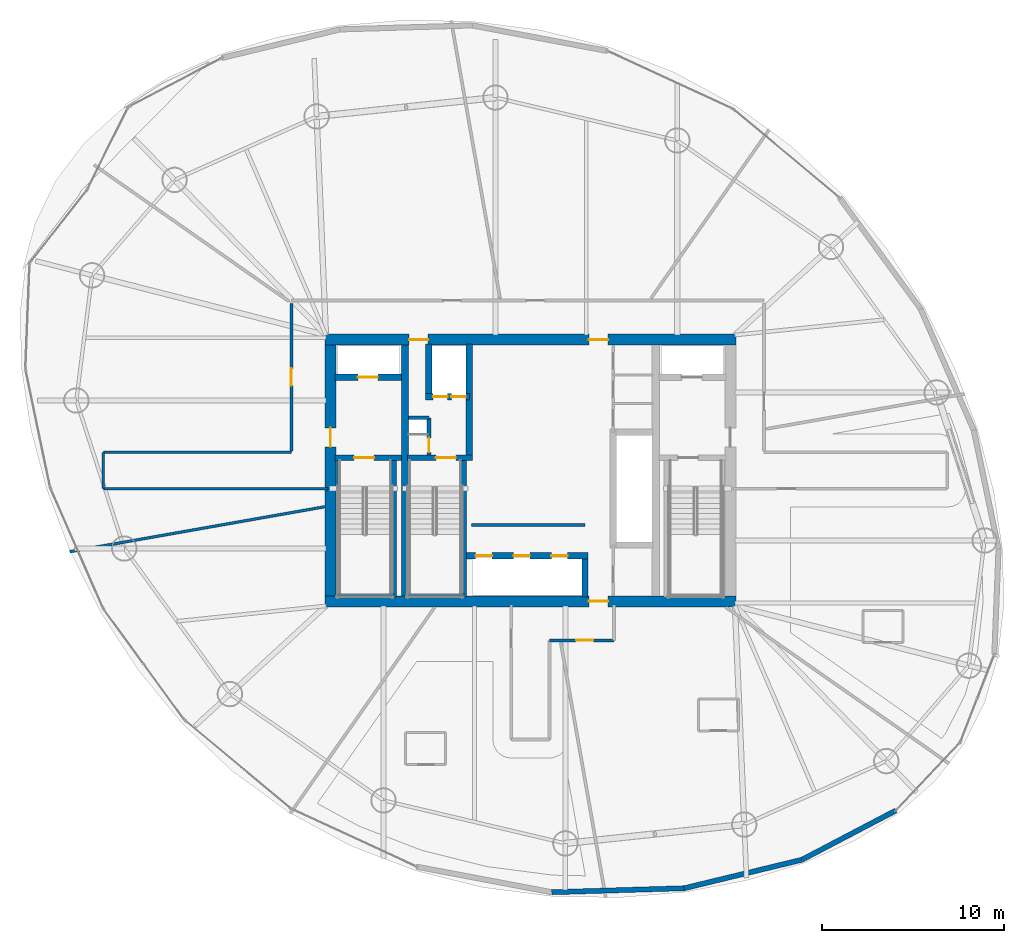
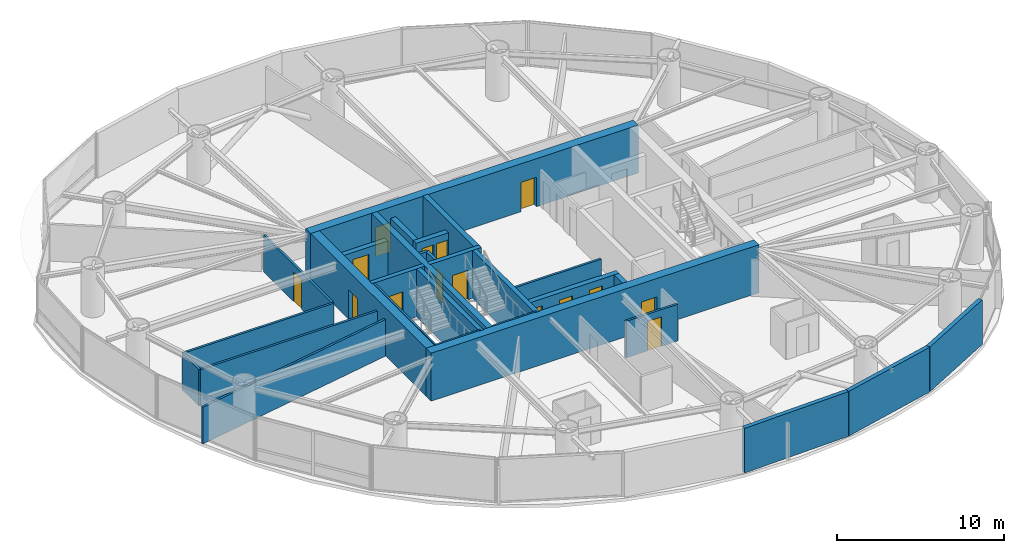
# One storey, part 18 of 23: 29 walls, 15 doors, 15 openings.
"""IFC4 building model written with IfcOpenShell, lengths in metres."""

from ifc_helpers import new_model, si_unit, direction, frame, frame_2d, origin, place, context, subcontext, project, spatial, rectangle, extrude, material, layer, layer_set, type_object, element, fill, save


model = new_model("IFC4")

# Units and contexts
model_context = context("Model", 3, precision=1e-05, world=origin(), true_north=direction((0.0, 1.0)))
body_context = subcontext(model_context, "Body", "Model", "MODEL_VIEW")
ifc_project = project(units=[si_unit("LENGTHUNIT", "METRE"), si_unit("AREAUNIT", "SQUARE_METRE"), si_unit("VOLUMEUNIT", "CUBIC_METRE"), si_unit("PLANEANGLEUNIT", "RADIAN"), si_unit("MASSUNIT", "GRAM", prefix="KILO")], contexts=[model_context])

# Site, building, storey
site_placement = place(None, origin())
site = spatial("IfcSite", under=ifc_project, at=site_placement, CompositionType="ELEMENT")
building_placement = place(site_placement, origin())
building = spatial("IfcBuilding", under=site, at=building_placement, Name="Bramvorn Convention Spire", CompositionType="ELEMENT")
storey_placement = place(building_placement, frame((0.0, 0.0, 158.800048828125)))
storey = spatial("IfcBuildingStorey", under=building, at=storey_placement, Name="L40", CompositionType="ELEMENT", Elevation=158.800048828125)

# Wall, opening, door
ifc_material_1 = material(Name="Concrete C60/70", Category="concrete")
ifc_layer_1 = layer(ifc_material_1, 0.60009765625)
ifc_layer_set_1 = layer_set([ifc_layer_1], Name="Concrete C60/70 - WL-CORE-600")
wall_type_1 = type_object("IfcWallType", Name="WL-CORE-600", PredefinedType="SHEAR", material=ifc_layer_set_1)
wall_1_placement = place(storey_placement, frame((26.699951171875, 18.800048828125, 0.0), z_axis=(0.0, 0.0, 1.0), x_axis=(1.0, 0.0, 0.0)))
wall_1 = element("IfcWall", 1, at=wall_1_placement, inside=storey, type_object=wall_type_1, Name="L40 South RC core shear wall", PredefinedType="SHEAR", context=body_context, shape_type="SweptSolid", body=[
    extrude(rectangle(XDim=22.60009765625, YDim=0.60009765625, at=frame_2d((11.300048828125, 0.0))), origin(), (0.0, 0.0, 1.0), 3.5),
])
opening_1_placement = place(wall_1_placement, frame((14.52001953125, 0.0, 0.0)))
opening_1 = element("IfcOpeningElement", 2, at=opening_1_placement, cuts=wall_1, Name="Opening DL-105", PredefinedType="OPENING", context=body_context, shape_type="SweptSolid", body=[
    extrude(rectangle(XDim=1.050048828125, YDim=2.14990234375, at=frame_2d((0.52490234375, 1.074951171875))), frame((0.0, 0.31005859375, 0.0), z_axis=(0.0, -1.0, 0.0), x_axis=(1.0, 0.0, 0.0)), (0.0, 0.0, 1.0), 0.6201171875),
])
ifc_material_2 = material(Name="Smoke-Sealed Fire Lobby Timber-Core Door", Category="wood")
door_type_1 = type_object("IfcDoorType", Name="DR-LOBBY-1050", OperationType="NOTDEFINED", PredefinedType="DOOR", material=ifc_material_2)
door_1_placement = place(opening_1_placement, origin())
door_1 = element("IfcDoor", 3, at=door_1_placement, inside=storey, type_object=door_type_1, Name="L40 South Lift Lobby fire door", OperationType="SINGLE_SWING_RIGHT", OverallHeight=2.14990234375, OverallWidth=1.050048828125, PredefinedType="DOOR", context=body_context, shape_type="SweptSolid", body=[
    extrude(rectangle(XDim=1.050048828125, YDim=2.14990234375, at=frame_2d((0.52490234375, 1.074951171875))), frame((0.0, 0.02490234375, 0.0), z_axis=(0.0, -1.0, 0.0), x_axis=(1.0, 0.0, 0.0)), (0.0, 0.0, 1.0), 0.050048828125),
])
fill(opening_1, door_1)

# Wall, openings, doors
wall_2_placement = place(storey_placement, frame((26.699951171875, 33.199951171875, 0.0), z_axis=(0.0, 0.0, 1.0), x_axis=(1.0, 0.0, 0.0)))
wall_2 = element("IfcWall", 4, at=wall_2_placement, inside=storey, type_object=wall_type_1, Name="L40 North RC core shear wall", PredefinedType="SHEAR", context=body_context, shape_type="SweptSolid", body=[
    extrude(rectangle(XDim=22.60009765625, YDim=0.60009765625, at=frame_2d((11.300048828125, 0.0))), origin(), (0.0, 0.0, 1.0), 3.5),
])
opening_2_placement = place(wall_2_placement, frame((4.6201171875, 0.0, 0.0)))
opening_2 = element("IfcOpeningElement", 5, at=opening_2_placement, cuts=wall_2, Name="Opening DL-105", PredefinedType="OPENING", context=body_context, shape_type="SweptSolid", body=[
    extrude(rectangle(XDim=1.050048828125, YDim=2.14990234375, at=frame_2d((0.52490234375, 1.074951171875))), frame((0.0, 0.31005859375, 0.0), z_axis=(0.0, -1.0, 0.0), x_axis=(1.0, 0.0, 0.0)), (0.0, 0.0, 1.0), 0.6201171875),
])
opening_3_placement = place(wall_2_placement, frame((14.52001953125, 0.0, 0.0)))
opening_3 = element("IfcOpeningElement", 6, at=opening_3_placement, cuts=wall_2, Name="Opening DL-105", PredefinedType="OPENING", context=body_context, shape_type="SweptSolid", body=[
    extrude(rectangle(XDim=1.050048828125, YDim=2.14990234375, at=frame_2d((0.52490234375, 1.074951171875))), frame((0.0, 0.31005859375, 0.0), z_axis=(0.0, -1.0, 0.0), x_axis=(1.0, 0.0, 0.0)), (0.0, 0.0, 1.0), 0.6201171875),
])
door_2_placement = place(opening_2_placement, origin())
door_2 = element("IfcDoor", 7, at=door_2_placement, inside=storey, type_object=door_type_1, Name="L40 Service & Stair ST3 Lobby north corridor door", OperationType="SINGLE_SWING_LEFT", OverallHeight=2.14990234375, OverallWidth=1.050048828125, PredefinedType="DOOR", context=body_context, shape_type="SweptSolid", body=[
    extrude(rectangle(XDim=1.050048828125, YDim=2.14990234375, at=frame_2d((0.52490234375, 1.074951171875))), frame((0.0, 0.02490234375, 0.0), z_axis=(0.0, -1.0, 0.0), x_axis=(1.0, 0.0, 0.0)), (0.0, 0.0, 1.0), 0.050048828125),
])
fill(opening_2, door_2)
door_3_placement = place(opening_3_placement, origin())
door_3 = element("IfcDoor", 8, at=door_3_placement, inside=storey, type_object=door_type_1, Name="L40 North Lift Lobby fire door", OperationType="SINGLE_SWING_LEFT", OverallHeight=2.14990234375, OverallWidth=1.050048828125, PredefinedType="DOOR", context=body_context, shape_type="SweptSolid", body=[
    extrude(rectangle(XDim=1.050048828125, YDim=2.14990234375, at=frame_2d((0.52490234375, 1.074951171875))), frame((0.0, 0.02490234375, 0.0), z_axis=(0.0, -1.0, 0.0), x_axis=(1.0, 0.0, 0.0)), (0.0, 0.0, 1.0), 0.050048828125),
])
fill(opening_3, door_3)

# Wall, opening, door
wall_3_placement = place(storey_placement, frame((27.0, 19.10009765625, 0.0), z_axis=(0.0, 0.0, 1.0), x_axis=(0.0, 1.0, 0.0)))
wall_3 = element("IfcWall", 9, at=wall_3_placement, inside=storey, type_object=wall_type_1, Name="L40 West RC core shear wall", PredefinedType="SHEAR", context=body_context, shape_type="SweptSolid", body=[
    extrude(rectangle(XDim=13.7998046875, YDim=0.60009765625, at=frame_2d((6.89990234375, 0.0))), origin(), (0.0, 0.0, 1.0), 3.5),
])
opening_4_placement = place(wall_3_placement, frame((8.199951171875, 0.0, 0.0)))
opening_4 = element("IfcOpeningElement", 10, at=opening_4_placement, cuts=wall_3, Name="Opening DL-105", PredefinedType="OPENING", context=body_context, shape_type="SweptSolid", body=[
    extrude(rectangle(XDim=1.050048828125, YDim=2.14990234375, at=frame_2d((0.52490234375, 1.074951171875))), frame((0.0, 0.31005859375, 0.0), z_axis=(0.0, -1.0, 0.0), x_axis=(1.0, 0.0, 0.0)), (0.0, 0.0, 1.0), 0.6201171875),
])
door_4_placement = place(opening_4_placement, origin())
door_4 = element("IfcDoor", 11, at=door_4_placement, inside=storey, type_object=door_type_1, Name="L40 West Firefighting Lobby corridor door", OperationType="SINGLE_SWING_RIGHT", OverallHeight=2.14990234375, OverallWidth=1.050048828125, PredefinedType="DOOR", context=body_context, shape_type="SweptSolid", body=[
    extrude(rectangle(XDim=1.050048828125, YDim=2.14990234375, at=frame_2d((0.52490234375, 1.074951171875))), frame((0.0, 0.02490234375, 0.0), z_axis=(0.0, -1.0, 0.0), x_axis=(1.0, 0.0, 0.0)), (0.0, 0.0, 1.0), 0.050048828125),
])
fill(opening_4, door_4)

ifc_material_3 = material(Name="Concrete C50/60", Category="concrete")
ifc_layer_2 = layer(ifc_material_3, 0.35009765625)
ifc_layer_set_2 = layer_set([ifc_layer_2], Name="Concrete C50/60 - WL-CORE-INT-350")
wall_type_2 = type_object("IfcWallType", Name="WL-CORE-INT-350", PredefinedType="SHEAR", material=ifc_layer_set_2)
wall_4_placement = place(storey_placement, frame((27.25, 31.1201171875, 0.0), z_axis=(0.0, 0.0, 1.0), x_axis=(1.0, 0.0, 0.0)))
wall_4 = element("IfcWall", 12, at=wall_4_placement, inside=storey, type_object=wall_type_2, Name="L40 FE1 shaft front wall", PredefinedType="SHEAR", context=body_context, shape_type="SweptSolid", body=[
    extrude(rectangle(XDim=3.669921875, YDim=0.35009765625, at=frame_2d((1.8349609375, 0.0))), origin(), (0.0, 0.0, 1.0), 2.675048828125),
])
opening_5_placement = place(wall_4_placement, frame((1.25, 0.0, 0.0)))
opening_5 = element("IfcOpeningElement", 13, at=opening_5_placement, cuts=wall_4, Name="Opening LD-110", PredefinedType="OPENING", context=body_context, shape_type="SweptSolid", body=[
    extrude(rectangle(XDim=1.10009765625, YDim=2.14990234375, at=frame_2d((0.550048828125, 1.074951171875))), frame((0.0, 0.18505859375, 0.0), z_axis=(0.0, -1.0, 0.0), x_axis=(1.0, 0.0, 0.0)), (0.0, 0.0, 1.0), 0.3701171875),
])
ifc_material_4 = material(Name="Firefighting & Service Lift Sliding Landing Door", Category="steel")
door_type_2 = type_object("IfcDoorType", Name="DR-LIFT-LD-1100", OperationType="NOTDEFINED", PredefinedType="DOOR", material=ifc_material_4)
door_5_placement = place(opening_5_placement, origin())
door_5 = element("IfcDoor", 14, at=door_5_placement, inside=storey, type_object=door_type_2, Name="L40 Lift FE1 Sliding Landing Door", OperationType="SLIDING_TO_LEFT", OverallHeight=2.14990234375, OverallWidth=1.10009765625, PredefinedType="DOOR", context=body_context, shape_type="SweptSolid", body=[
    extrude(rectangle(XDim=1.10009765625, YDim=2.14990234375, at=frame_2d((0.550048828125, 1.074951171875))), frame((0.0, 0.02490234375, 0.0), z_axis=(0.0, -1.0, 0.0), x_axis=(1.0, 0.0, 0.0)), (0.0, 0.0, 1.0), 0.050048828125),
])
fill(opening_5, door_5)

# Wall
wall_5_placement = place(storey_placement, frame((34.639892578125, 26.68994140625, 0.0), z_axis=(0.0, 0.0, 1.0), x_axis=(0.0, 1.0, 0.0)))
element("IfcWall", 15, at=wall_5_placement, inside=storey, type_object=wall_type_2, Name="L40 SV east core shaft wall", PredefinedType="SHEAR", context=body_context, shape_type="SweptSolid", body=[
    extrude(rectangle(XDim=6.260009765625, YDim=0.35009765625, at=frame_2d((3.1298828125, 0.0))), origin(), (0.0, 0.0, 1.0), 3.5),
])

# Wall, openings, doors
wall_6_placement = place(storey_placement, frame((32.22998046875, 30.050048828125, 0.0), z_axis=(0.0, 0.0, 1.0), x_axis=(1.0, 0.0, 0.0)))
wall_6 = element("IfcWall", 16, at=wall_6_placement, inside=storey, type_object=wall_type_2, Name="L40 SV1/SV2 shaft front wall", PredefinedType="SHEAR", context=body_context, shape_type="SweptSolid", body=[
    extrude(rectangle(XDim=2.409912109375, YDim=0.35009765625, at=frame_2d((1.205078125, 0.0))), origin(), (0.0, 0.0, 1.0), 2.675048828125),
])
opening_6_placement = place(wall_6_placement, frame((0.419921875, 0.0, 0.0)))
opening_6 = element("IfcOpeningElement", 17, at=opening_6_placement, cuts=wall_6, Name="Opening LD-080", PredefinedType="OPENING", context=body_context, shape_type="SweptSolid", body=[
    extrude(rectangle(XDim=0.800048828125, YDim=2.14990234375, at=frame_2d((0.39990234375, 1.074951171875))), frame((0.0, 0.18505859375, 0.0), z_axis=(0.0, -1.0, 0.0), x_axis=(1.0, 0.0, 0.0)), (0.0, 0.0, 1.0), 0.3701171875),
])
opening_7_placement = place(wall_6_placement, frame((1.419921875, 0.0, 0.0)))
opening_7 = element("IfcOpeningElement", 18, at=opening_7_placement, cuts=wall_6, Name="Opening LD-080", PredefinedType="OPENING", context=body_context, shape_type="SweptSolid", body=[
    extrude(rectangle(XDim=0.800048828125, YDim=2.14990234375, at=frame_2d((0.39990234375, 1.074951171875))), frame((0.0, 0.18505859375, 0.0), z_axis=(0.0, -1.0, 0.0), x_axis=(1.0, 0.0, 0.0)), (0.0, 0.0, 1.0), 0.3701171875),
])
ifc_material_5 = material(Name="Service Lift Bi-Parting Landing Door", Category="steel")
door_type_3 = type_object("IfcDoorType", Name="DR-LIFT-LD-800", OperationType="NOTDEFINED", PredefinedType="DOOR", material=ifc_material_5)
door_6_placement = place(opening_6_placement, origin())
door_6 = element("IfcDoor", 19, at=door_6_placement, inside=storey, type_object=door_type_3, Name="L40 Lift SV1 Sliding Landing Door", OperationType="SLIDING_TO_LEFT", OverallHeight=2.14990234375, OverallWidth=0.800048828125, PredefinedType="DOOR", context=body_context, shape_type="SweptSolid", body=[
    extrude(rectangle(XDim=0.800048828125, YDim=2.14990234375, at=frame_2d((0.39990234375, 1.074951171875))), frame((0.0, 0.02490234375, 0.0), z_axis=(0.0, -1.0, 0.0), x_axis=(1.0, 0.0, 0.0)), (0.0, 0.0, 1.0), 0.050048828125),
])
fill(opening_6, door_6)
door_7_placement = place(opening_7_placement, origin())
door_7 = element("IfcDoor", 20, at=door_7_placement, inside=storey, type_object=door_type_3, Name="L40 Lift SV2 Sliding Landing Door", OperationType="SLIDING_TO_LEFT", OverallHeight=2.14990234375, OverallWidth=0.800048828125, PredefinedType="DOOR", context=body_context, shape_type="SweptSolid", body=[
    extrude(rectangle(XDim=0.800048828125, YDim=2.14990234375, at=frame_2d((0.39990234375, 1.074951171875))), frame((0.0, 0.02490234375, 0.0), z_axis=(0.0, -1.0, 0.0), x_axis=(1.0, 0.0, 0.0)), (0.0, 0.0, 1.0), 0.050048828125),
])
fill(opening_7, door_7)

# Wall
wall_7_placement = place(storey_placement, frame((32.39990234375, 30.219970703125, 0.0), z_axis=(0.0, 0.0, 1.0), x_axis=(0.0, 1.0, 0.0)))
element("IfcWall", 21, at=wall_7_placement, inside=storey, type_object=wall_type_2, Name="L40 SV1 west hoistway wall", PredefinedType="SHEAR", context=body_context, shape_type="SweptSolid", body=[
    extrude(rectangle(XDim=2.72998046875, YDim=0.35009765625, at=frame_2d((1.364990234375, 0.0))), origin(), (0.0, 0.0, 1.0), 2.675048828125),
])

# Wall, openings, doors
wall_8_placement = place(storey_placement, frame((34.489990234375, 21.300048828125, 0.0), z_axis=(0.0, 0.0, 1.0), x_axis=(1.0, 0.0, 0.0)))
wall_8 = element("IfcWall", 22, at=wall_8_placement, inside=storey, type_object=wall_type_2, Name="L40 Mid-rise bank north landing wall", PredefinedType="SHEAR", context=body_context, shape_type="SweptSolid", body=[
    extrude(rectangle(XDim=6.679931640625, YDim=0.35009765625, at=frame_2d((3.33984375, 0.0))), origin(), (0.0, 0.0, 1.0), 2.675048828125),
])
opening_8_placement = place(wall_8_placement, frame((0.5, 0.0, 0.0)))
opening_8 = element("IfcOpeningElement", 23, at=opening_8_placement, cuts=wall_8, Name="Opening LD-090", PredefinedType="OPENING", context=body_context, shape_type="SweptSolid", body=[
    extrude(rectangle(XDim=0.89990234375, YDim=2.14990234375, at=frame_2d((0.449951171875, 1.074951171875))), frame((0.0, 0.18505859375, 0.0), z_axis=(0.0, -1.0, 0.0), x_axis=(1.0, 0.0, 0.0)), (0.0, 0.0, 1.0), 0.3701171875),
])
opening_9_placement = place(wall_8_placement, frame((2.580078125, 0.0, 0.0)))
opening_9 = element("IfcOpeningElement", 24, at=opening_9_placement, cuts=wall_8, Name="Opening LD-090", PredefinedType="OPENING", context=body_context, shape_type="SweptSolid", body=[
    extrude(rectangle(XDim=0.89990234375, YDim=2.14990234375, at=frame_2d((0.449951171875, 1.074951171875))), frame((0.0, 0.18505859375, 0.0), z_axis=(0.0, -1.0, 0.0), x_axis=(1.0, 0.0, 0.0)), (0.0, 0.0, 1.0), 0.3701171875),
])
opening_10_placement = place(wall_8_placement, frame((4.659912109375, 0.0, 0.0)))
opening_10 = element("IfcOpeningElement", 25, at=opening_10_placement, cuts=wall_8, Name="Opening LD-090", PredefinedType="OPENING", context=body_context, shape_type="SweptSolid", body=[
    extrude(rectangle(XDim=0.89990234375, YDim=2.14990234375, at=frame_2d((0.449951171875, 1.074951171875))), frame((0.0, 0.18505859375, 0.0), z_axis=(0.0, -1.0, 0.0), x_axis=(1.0, 0.0, 0.0)), (0.0, 0.0, 1.0), 0.3701171875),
])
ifc_material_6 = material(Name="Bi-Parting Fire-Rated Lift Landing Door", Category="steel")
door_type_4 = type_object("IfcDoorType", Name="DR-LIFT-LD-900", OperationType="NOTDEFINED", PredefinedType="DOOR", material=ifc_material_6)
door_8_placement = place(opening_8_placement, origin())
door_8 = element("IfcDoor", 26, at=door_8_placement, inside=storey, type_object=door_type_4, Name="L40 Lift PM1 Sliding Landing Door", OperationType="SLIDING_TO_LEFT", OverallHeight=2.14990234375, OverallWidth=0.89990234375, PredefinedType="DOOR", context=body_context, shape_type="SweptSolid", body=[
    extrude(rectangle(XDim=0.89990234375, YDim=2.14990234375, at=frame_2d((0.449951171875, 1.074951171875))), frame((0.0, 0.02490234375, 0.0), z_axis=(0.0, -1.0, 0.0), x_axis=(1.0, 0.0, 0.0)), (0.0, 0.0, 1.0), 0.050048828125),
])
fill(opening_8, door_8)
door_9_placement = place(opening_9_placement, origin())
door_9 = element("IfcDoor", 27, at=door_9_placement, inside=storey, type_object=door_type_4, Name="L40 Lift PM2 Sliding Landing Door", OperationType="SLIDING_TO_LEFT", OverallHeight=2.14990234375, OverallWidth=0.89990234375, PredefinedType="DOOR", context=body_context, shape_type="SweptSolid", body=[
    extrude(rectangle(XDim=0.89990234375, YDim=2.14990234375, at=frame_2d((0.449951171875, 1.074951171875))), frame((0.0, 0.02490234375, 0.0), z_axis=(0.0, -1.0, 0.0), x_axis=(1.0, 0.0, 0.0)), (0.0, 0.0, 1.0), 0.050048828125),
])
fill(opening_9, door_9)
door_10_placement = place(opening_10_placement, origin())
door_10 = element("IfcDoor", 28, at=door_10_placement, inside=storey, type_object=door_type_4, Name="L40 Lift PM3 Sliding Landing Door", OperationType="SLIDING_TO_LEFT", OverallHeight=2.14990234375, OverallWidth=0.89990234375, PredefinedType="DOOR", context=body_context, shape_type="SweptSolid", body=[
    extrude(rectangle(XDim=0.89990234375, YDim=2.14990234375, at=frame_2d((0.449951171875, 1.074951171875))), frame((0.0, 0.02490234375, 0.0), z_axis=(0.0, -1.0, 0.0), x_axis=(1.0, 0.0, 0.0)), (0.0, 0.0, 1.0), 0.050048828125),
])
fill(opening_10, door_10)

# Walls
wall_9_placement = place(storey_placement, frame((41.0, 19.050048828125, 0.0), z_axis=(0.0, 0.0, 1.0), x_axis=(0.0, 1.0, 0.0)))
element("IfcWall", 29, at=wall_9_placement, inside=storey, type_object=wall_type_2, Name="L40 Mid-rise bank east cheek wall", PredefinedType="SHEAR", context=body_context, shape_type="SweptSolid", body=[
    extrude(rectangle(XDim=2.079833984375, YDim=0.35009765625, at=frame_2d((1.0400390625, 0.0))), origin(), (0.0, 0.0, 1.0), 2.675048828125),
])
ifc_layer_3 = layer(ifc_material_1, 0.39990234375)
ifc_layer_set_3 = layer_set([ifc_layer_3], Name="Concrete C60/70 - WL-CORE-INT-400")
wall_type_3 = type_object("IfcWallType", Name="WL-CORE-INT-400", PredefinedType="SHEAR", material=ifc_layer_set_3)
wall_10_placement = place(storey_placement, frame((31.10009765625, 19.10009765625, 0.0), z_axis=(0.0, 0.0, 1.0), x_axis=(0.0, 1.0, 0.0)))
element("IfcWall", 30, at=wall_10_placement, inside=storey, type_object=wall_type_3, Name="L40 West internal core shear web", PredefinedType="SHEAR", context=body_context, shape_type="SweptSolid", body=[
    extrude(rectangle(XDim=13.7998046875, YDim=0.39990234375, at=frame_2d((6.89990234375, 0.0))), origin(), (0.0, 0.0, 1.0), 3.5),
])
ifc_material_7 = material(Name="Precast Concrete C40/50 with Bronze Terracotta Rainscreen", Category="masonry")
ifc_layer_4 = layer(ifc_material_7, 0.300048828125)
ifc_layer_set_4 = layer_set([ifc_layer_4], Name="Precast Concrete C40/50 with Bronze Terracotta Rainscreen - WL-EXT-BRONZE-300")
wall_type_4 = type_object("IfcWallType", Name="WL-EXT-BRONZE-300", PredefinedType="SOLIDWALL", material=ifc_layer_set_4)
wall_11_placement = place(storey_placement, frame((46.461181640625, 3.016357421875, 0.0), z_axis=(0.0, 0.0, 1.0), x_axis=(-0.999546874855, -0.030100580863, 0.0)))
element("IfcWall", 31, at=wall_11_placement, inside=storey, type_object=wall_type_4, Name="L40 expressed bronze Gothic lancet pier wall 21", PredefinedType="SOLIDWALL", context=body_context, shape_type="SweptSolid", body=[
    extrude(rectangle(XDim=7.291748046875, YDim=0.280029296875, at=frame_2d((3.64599609375, 0.0))), origin(), (0.0, 0.0, 1.0), 3.260009765625),
])
wall_12_placement = place(storey_placement, frame((52.939208984375, 4.585205078125, 0.0), z_axis=(0.0, 0.0, 1.0), x_axis=(-0.971904466819, -0.235375672864, 0.0)))
element("IfcWall", 32, at=wall_12_placement, inside=storey, type_object=wall_type_4, Name="L40 expressed bronze Gothic lancet pier wall 22", PredefinedType="SOLIDWALL", context=body_context, shape_type="SweptSolid", body=[
    extrude(rectangle(XDim=6.665283203125, YDim=0.280029296875, at=frame_2d((3.33251953125, 0.0))), origin(), (0.0, 0.0, 1.0), 3.260009765625),
])
wall_13_placement = place(storey_placement, frame((58.0966796875, 7.2880859375, 0.0), z_axis=(0.0, 0.0, 1.0), x_axis=(-0.885736319893, -0.464188724144, 0.0)))
element("IfcWall", 33, at=wall_13_placement, inside=storey, type_object=wall_type_4, Name="L40 expressed bronze Gothic lancet pier wall 23", PredefinedType="SOLIDWALL", context=body_context, shape_type="SweptSolid", body=[
    extrude(rectangle(XDim=5.82275390625, YDim=0.280029296875, at=frame_2d((2.911376953125, 0.0))), origin(), (0.0, 0.0, 1.0), 3.260009765625),
])
ifc_material_8 = material(Name="Acoustic Metal-Stud Tenant/Corridor Partition", Category="gypsum")
ifc_layer_5 = layer(ifc_material_8, 0.14990234375)
ifc_layer_set_5 = layer_set([ifc_layer_5], Name="Acoustic Metal-Stud Tenant/Corridor Partition - WL-PART-150")
wall_type_5 = type_object("IfcWallType", Name="WL-PART-150", PredefinedType="PARTITIONING", material=ifc_layer_set_5)
wall_14_placement = place(storey_placement, frame((34.75, 23.0, 0.0), z_axis=(0.0, 0.0, 1.0), x_axis=(1.0, 0.0, 0.0)))
element("IfcWall", 34, at=wall_14_placement, inside=storey, type_object=wall_type_5, Name="L40 Mid-rise lift vestibule north wall", PredefinedType="PARTITIONING", context=body_context, shape_type="SweptSolid", body=[
    extrude(rectangle(XDim=6.25, YDim=0.14990234375, at=frame_2d((3.125, 0.0))), origin(), (0.0, 0.0, 1.0), 2.675048828125),
])

# Wall, opening, door
wall_15_placement = place(storey_placement, frame((24.85009765625, 27.080078125, 0.0), z_axis=(0.0, 0.0, 1.0), x_axis=(0.0, 1.0, 0.0)))
wall_15 = element("IfcWall", 35, at=wall_15_placement, inside=storey, type_object=wall_type_5, Name="L40 NW gallery cheek", PredefinedType="PARTITIONING", context=body_context, shape_type="SweptSolid", body=[
    extrude(rectangle(XDim=8.119873046875, YDim=0.14990234375, at=frame_2d((4.06005859375, 0.0))), origin(), (0.0, 0.0, 1.0), 2.675048828125),
])
opening_11_placement = place(wall_15_placement, frame((3.5849609375, 0.0, 0.0)))
opening_11 = element("IfcOpeningElement", 36, at=opening_11_placement, cuts=wall_15, Name="Opening DH-095", PredefinedType="OPENING", context=body_context, shape_type="SweptSolid", body=[
    extrude(rectangle(XDim=0.949951171875, YDim=2.14990234375, at=frame_2d((0.47509765625, 1.074951171875))), frame((0.0, 0.0849609375, 0.0), z_axis=(0.0, -1.0, 0.0), x_axis=(1.0, 0.0, 0.0)), (0.0, 0.0, 1.0), 0.169921875),
])
ifc_material_9 = material(Name="Solid-Core Acoustic Guestroom Entry Door", Category="wood")
door_type_5 = type_object("IfcDoorType", Name="DR-HOTEL-950", OperationType="NOTDEFINED", PredefinedType="DOOR", material=ifc_material_9)
door_11_placement = place(opening_11_placement, origin())
door_11 = element("IfcDoor", 37, at=door_11_placement, inside=storey, type_object=door_type_5, Name="L40 Hospitality Lounge 3 door", OperationType="SINGLE_SWING_LEFT", OverallHeight=2.14990234375, OverallWidth=0.949951171875, PredefinedType="DOOR", context=body_context, shape_type="SweptSolid", body=[
    extrude(rectangle(XDim=0.949951171875, YDim=2.14990234375, at=frame_2d((0.47509765625, 1.074951171875))), frame((0.0, 0.02490234375, 0.0), z_axis=(0.0, -1.0, 0.0), x_axis=(1.0, 0.0, 0.0)), (0.0, 0.0, 1.0), 0.050048828125),
])
fill(opening_11, door_11)

# Walls
wall_16_placement = place(storey_placement, frame((14.5, 27.0, 0.0), z_axis=(0.0, 0.0, 1.0), x_axis=(1.0, 0.0, 0.0)))
element("IfcWall", 38, at=wall_16_placement, inside=storey, type_object=wall_type_5, Name="L40 West wing spine north wall", PredefinedType="PARTITIONING", context=body_context, shape_type="SweptSolid", body=[
    extrude(rectangle(XDim=10.35009765625, YDim=0.14990234375, at=frame_2d((5.175048828125, 0.0))), origin(), (0.0, 0.0, 1.0), 2.675048828125),
])
wall_17_placement = place(storey_placement, frame((14.5, 25.0, 0.0), z_axis=(0.0, 0.0, 1.0), x_axis=(1.0, 0.0, 0.0)))
element("IfcWall", 39, at=wall_17_placement, inside=storey, type_object=wall_type_5, Name="L40 West wing spine south wall", PredefinedType="PARTITIONING", context=body_context, shape_type="SweptSolid", body=[
    extrude(rectangle(XDim=12.35009765625, YDim=0.14990234375, at=frame_2d((6.175048828125, 0.0))), origin(), (0.0, 0.0, 1.0), 2.675048828125),
])
wall_18_placement = place(storey_placement, frame((14.5, 25.0, 0.0), z_axis=(0.0, 0.0, 1.0), x_axis=(0.0, 1.0, 0.0)))
element("IfcWall", 40, at=wall_18_placement, inside=storey, type_object=wall_type_5, Name="L40 West wing spine end wall", PredefinedType="PARTITIONING", context=body_context, shape_type="SweptSolid", body=[
    extrude(rectangle(XDim=2.0, YDim=0.14990234375, at=frame_2d((1.0, 0.0))), origin(), (0.0, 0.0, 1.0), 2.675048828125),
])

# Wall, opening, door
wall_19_placement = place(storey_placement, frame((39.050048828125, 16.64990234375, 0.0), z_axis=(0.0, 0.0, 1.0), x_axis=(1.0, 0.0, 0.0)))
wall_19 = element("IfcWall", 41, at=wall_19_placement, inside=storey, type_object=wall_type_5, Name="L40 South lift lobby link wall", PredefinedType="PARTITIONING", context=body_context, shape_type="SweptSolid", body=[
    extrude(rectangle(XDim=3.550048828125, YDim=0.14990234375, at=frame_2d((1.77490234375, 0.0))), origin(), (0.0, 0.0, 1.0), 2.675048828125),
])
opening_12_placement = place(wall_19_placement, frame((1.461669921875, 0.0, 0.0)))
opening_12 = element("IfcOpeningElement", 42, at=opening_12_placement, cuts=wall_19, Name="Opening DH-095", PredefinedType="OPENING", context=body_context, shape_type="SweptSolid", body=[
    extrude(rectangle(XDim=0.949951171875, YDim=2.14990234375, at=frame_2d((0.47509765625, 1.074951171875))), frame((0.0, 0.0849609375, 0.0), z_axis=(0.0, -1.0, 0.0), x_axis=(1.0, 0.0, 0.0)), (0.0, 0.0, 1.0), 0.169921875),
])
door_12_placement = place(opening_12_placement, origin())
door_12 = element("IfcDoor", 43, at=door_12_placement, inside=storey, type_object=door_type_5, Name="Hotel Suite 4007 entry door", OperationType="SINGLE_SWING_RIGHT", OverallHeight=2.14990234375, OverallWidth=0.949951171875, PredefinedType="DOOR", context=body_context, shape_type="SweptSolid", body=[
    extrude(rectangle(XDim=0.949951171875, YDim=2.14990234375, at=frame_2d((0.47509765625, 1.074951171875))), frame((0.0, 0.02490234375, 0.0), z_axis=(0.0, -1.0, 0.0), x_axis=(1.0, 0.0, 0.0)), (0.0, 0.0, 1.0), 0.050048828125),
])
fill(opening_12, door_12)

# Wall
wall_20_placement = place(storey_placement, frame((26.679931640625, 24.00390625, 0.0), z_axis=(0.0, 0.0, 1.0), x_axis=(-0.984810123678, -0.173634732419, 0.0)))
element("IfcWall", 44, at=wall_20_placement, inside=storey, type_object=wall_type_5, Name="L40 Guestroom demising wall 5", PredefinedType="PARTITIONING", context=body_context, shape_type="SweptSolid", body=[
    extrude(rectangle(XDim=14.241943359375, YDim=0.14990234375, at=frame_2d((7.12109375, 0.0))), origin(), (0.0, 0.0, 1.0), 2.675048828125),
])

# Wall, opening, door
ifc_material_10 = material(Name="Gypsum Shaftwall & Rockwool Core Partition", Category="gypsum")
ifc_layer_6 = layer(ifc_material_10, 0.199951171875)
ifc_layer_set_6 = layer_set([ifc_layer_6], Name="Gypsum Shaftwall & Rockwool Core Partition - WL-PART-200-FR")
wall_type_6 = type_object("IfcWallType", Name="WL-PART-200-FR", PredefinedType="PARTITIONING", material=ifc_layer_set_6)
wall_21_placement = place(storey_placement, frame((32.419921875, 26.860107421875, 0.0), z_axis=(0.0, 0.0, 1.0), x_axis=(0.0, 1.0, 0.0)))
wall_21 = element("IfcWall", 45, at=wall_21_placement, inside=storey, type_object=wall_type_6, Name="L40 Telecom riser east wall", PredefinedType="PARTITIONING", context=body_context, shape_type="SweptSolid", body=[
    extrude(rectangle(XDim=2.039794921875, YDim=0.199951171875, at=frame_2d((1.02001953125, 0.0))), origin(), (0.0, 0.0, 1.0), 2.675048828125),
])
opening_13_placement = place(wall_21_placement, frame((0.139892578125, 0.0, 0.0)))
opening_13 = element("IfcOpeningElement", 46, at=opening_13_placement, cuts=wall_21, Name="Opening DR-080", PredefinedType="OPENING", context=body_context, shape_type="SweptSolid", body=[
    extrude(rectangle(XDim=0.800048828125, YDim=2.050048828125, at=frame_2d((0.39990234375, 1.02490234375))), frame((0.0, 0.10986328125, 0.0), z_axis=(0.0, -1.0, 0.0), x_axis=(1.0, 0.0, 0.0)), (0.0, 0.0, 1.0), 0.219970703125),
])
ifc_material_11 = material(Name="Flush Steel Riser Access Door", Category="steel")
door_type_6 = type_object("IfcDoorType", Name="DR-RISER-800", OperationType="NOTDEFINED", PredefinedType="DOOR", material=ifc_material_11)
door_13_placement = place(opening_13_placement, origin())
door_13 = element("IfcDoor", 47, at=door_13_placement, inside=storey, type_object=door_type_6, Name="L40 Telecom riser access door", OperationType="SINGLE_SWING_RIGHT", OverallHeight=2.050048828125, OverallWidth=0.800048828125, PredefinedType="DOOR", context=body_context, shape_type="SweptSolid", body=[
    extrude(rectangle(XDim=0.800048828125, YDim=2.050048828125, at=frame_2d((0.39990234375, 1.02490234375))), frame((0.0, 0.02490234375, 0.0), z_axis=(0.0, -1.0, 0.0), x_axis=(1.0, 0.0, 0.0)), (0.0, 0.0, 1.0), 0.050048828125),
])
fill(opening_13, door_13)

# Wall
wall_22_placement = place(storey_placement, frame((31.300048828125, 28.89990234375, 0.0), z_axis=(0.0, 0.0, 1.0), x_axis=(1.0, 0.0, 0.0)))
element("IfcWall", 48, at=wall_22_placement, inside=storey, type_object=wall_type_6, Name="L40 Telecom riser north wall", PredefinedType="PARTITIONING", context=body_context, shape_type="SweptSolid", body=[
    extrude(rectangle(XDim=1.119873046875, YDim=0.199951171875, at=frame_2d((0.56005859375, 0.0))), origin(), (0.0, 0.0, 1.0), 2.675048828125),
])

# Wall, opening, door
ifc_layer_7 = layer(ifc_material_3, 0.300048828125)
ifc_layer_set_7 = layer_set([ifc_layer_7], Name="Concrete C50/60 - WL-POD-STAIR-300")
wall_type_7 = type_object("IfcWallType", Name="WL-POD-STAIR-300", PredefinedType="SHEAR", material=ifc_layer_set_7)
wall_23_placement = place(storey_placement, frame((27.25, 26.68994140625, 0.0), z_axis=(0.0, 0.0, 1.0), x_axis=(1.0, 0.0, 0.0)))
wall_23 = element("IfcWall", 49, at=wall_23_placement, inside=storey, type_object=wall_type_7, Name="L40 ST1 north fire wall", PredefinedType="SHEAR", context=body_context, shape_type="SweptSolid", body=[
    extrude(rectangle(XDim=3.669921875, YDim=0.300048828125, at=frame_2d((1.8349609375, 0.0))), origin(), (0.0, 0.0, 1.0), 3.5),
])
opening_14_placement = place(wall_23_placement, frame((1.050048828125, 0.0, 0.0)))
opening_14 = element("IfcOpeningElement", 50, at=opening_14_placement, cuts=wall_23, Name="Opening DS-110", PredefinedType="OPENING", context=body_context, shape_type="SweptSolid", body=[
    extrude(rectangle(XDim=1.10009765625, YDim=2.14990234375, at=frame_2d((0.550048828125, 1.074951171875))), frame((0.0, 0.159912109375, 0.0), z_axis=(0.0, -1.0, 0.0), x_axis=(1.0, 0.0, 0.0)), (0.0, 0.0, 1.0), 0.320068359375),
])
ifc_material_12 = material(Name="Fire-Rated Hollow Steel Stairwell Door", Category="steel")
door_type_7 = type_object("IfcDoorType", Name="DR-STAIR-1100", OperationType="NOTDEFINED", PredefinedType="DOOR", material=ifc_material_12)
door_14_placement = place(opening_14_placement, origin())
door_14 = element("IfcDoor", 51, at=door_14_placement, inside=storey, type_object=door_type_7, Name="L40 Stair ST1 fire door", OperationType="SINGLE_SWING_LEFT", OverallHeight=2.14990234375, OverallWidth=1.10009765625, PredefinedType="DOOR", context=body_context, shape_type="SweptSolid", body=[
    extrude(rectangle(XDim=1.10009765625, YDim=2.14990234375, at=frame_2d((0.550048828125, 1.074951171875))), frame((0.0, 0.02490234375, 0.0), z_axis=(0.0, -1.0, 0.0), x_axis=(1.0, 0.0, 0.0)), (0.0, 0.0, 1.0), 0.050048828125),
])
fill(opening_14, door_14)

# Walls
for number, where, z_axis, x_axis, name in (
    (52, (30.489990234375, 19.050048828125, 0.0), (0.0, 0.0, 1.0), (0.0, 1.0, 0.0), "L40 ST1 east bearing wall"),
    (53, (34.340087890625, 19.050048828125, 0.0), (0.0, 0.0, 1.0), (0.0, 1.0, 0.0), "L40 ST3 east bearing wall"),
):
    element("IfcWall", number, at=place(storey_placement, frame(where, z_axis=z_axis, x_axis=x_axis)), inside=storey, type_object=wall_type_7, Name=name, PredefinedType="SHEAR", context=body_context, shape_type="SweptSolid", body=[
        extrude(rectangle(XDim=7.5, YDim=0.300048828125, at=frame_2d((3.75, 0.0))), origin(), (0.0, 0.0, 1.0), 3.5),
    ])

# Wall, opening, door
wall_24_placement = place(storey_placement, frame((31.25, 26.68994140625, 0.0), z_axis=(0.0, 0.0, 1.0), x_axis=(1.0, 0.0, 0.0)))
wall_24 = element("IfcWall", 54, at=wall_24_placement, inside=storey, type_object=wall_type_7, Name="L40 ST3 north lobby wall", PredefinedType="SHEAR", context=body_context, shape_type="SweptSolid", body=[
    extrude(rectangle(XDim=3.56005859375, YDim=0.300048828125, at=frame_2d((1.780029296875, 0.0))), origin(), (0.0, 0.0, 1.0), 3.5),
])
opening_15_placement = place(wall_24_placement, frame((1.550048828125, 0.0, 0.0)))
opening_15 = element("IfcOpeningElement", 55, at=opening_15_placement, cuts=wall_24, Name="Opening DS-110", PredefinedType="OPENING", context=body_context, shape_type="SweptSolid", body=[
    extrude(rectangle(XDim=1.10009765625, YDim=2.14990234375, at=frame_2d((0.550048828125, 1.074951171875))), frame((0.0, 0.159912109375, 0.0), z_axis=(0.0, -1.0, 0.0), x_axis=(1.0, 0.0, 0.0)), (0.0, 0.0, 1.0), 0.320068359375),
])
door_15_placement = place(opening_15_placement, origin())
door_15 = element("IfcDoor", 56, at=door_15_placement, inside=storey, type_object=door_type_7, Name="L40 Stair ST3 fire door", OperationType="SINGLE_SWING_LEFT", OverallHeight=2.14990234375, OverallWidth=1.10009765625, PredefinedType="DOOR", context=body_context, shape_type="SweptSolid", body=[
    extrude(rectangle(XDim=1.10009765625, YDim=2.14990234375, at=frame_2d((0.550048828125, 1.074951171875))), frame((0.0, 0.02490234375, 0.0), z_axis=(0.0, -1.0, 0.0), x_axis=(1.0, 0.0, 0.0)), (0.0, 0.0, 1.0), 0.050048828125),
])
fill(opening_15, door_15)

# Walls
ifc_layer_8 = layer(ifc_material_3, 0.1201171875)
ifc_layer_set_8 = layer_set([ifc_layer_8], Name="Concrete C50/60 - WL-STAIR-RC-120")
wall_type_8 = type_object("IfcWallType", Name="WL-STAIR-RC-120", PredefinedType="SHEAR", material=ifc_layer_set_8)
wall_25_placement = place(storey_placement, frame((27.39501953125, 19.10009765625, 0.0), z_axis=(0.0, 0.0, 1.0), x_axis=(0.0, 1.0, 0.0)))
element("IfcWall", 57, at=wall_25_placement, inside=storey, type_object=wall_type_8, Name="L40 ST1 west bearing shear wall", PredefinedType="SHEAR", context=body_context, shape_type="SweptSolid", body=[
    extrude(rectangle(XDim=7.449951171875, YDim=0.1201171875, at=frame_2d((3.72509765625, 0.0))), origin(), (0.0, 0.0, 1.0), 3.5),
])
wall_26_placement = place(storey_placement, frame((27.39501953125, 19.159912109375, 0.0), z_axis=(0.0, 0.0, 1.0), x_axis=(1.0, 0.0, 0.0)))
element("IfcWall", 58, at=wall_26_placement, inside=storey, type_object=wall_type_8, Name="L40 ST1 south bearing shear wall", PredefinedType="SHEAR", context=body_context, shape_type="SweptSolid", body=[
    extrude(rectangle(XDim=3.094970703125, YDim=0.1201171875, at=frame_2d((1.54736328125, 0.0))), origin(), (0.0, 0.0, 1.0), 3.5),
])
wall_27_placement = place(storey_placement, frame((31.300048828125, 19.159912109375, 0.0), z_axis=(0.0, 0.0, 1.0), x_axis=(1.0, 0.0, 0.0)))
element("IfcWall", 59, at=wall_27_placement, inside=storey, type_object=wall_type_8, Name="L40 ST3 south bearing shear wall", PredefinedType="SHEAR", context=body_context, shape_type="SweptSolid", body=[
    extrude(rectangle(XDim=3.0400390625, YDim=0.1201171875, at=frame_2d((1.52001953125, 0.0))), origin(), (0.0, 0.0, 1.0), 3.5),
])

save(model, "model.ifc")
